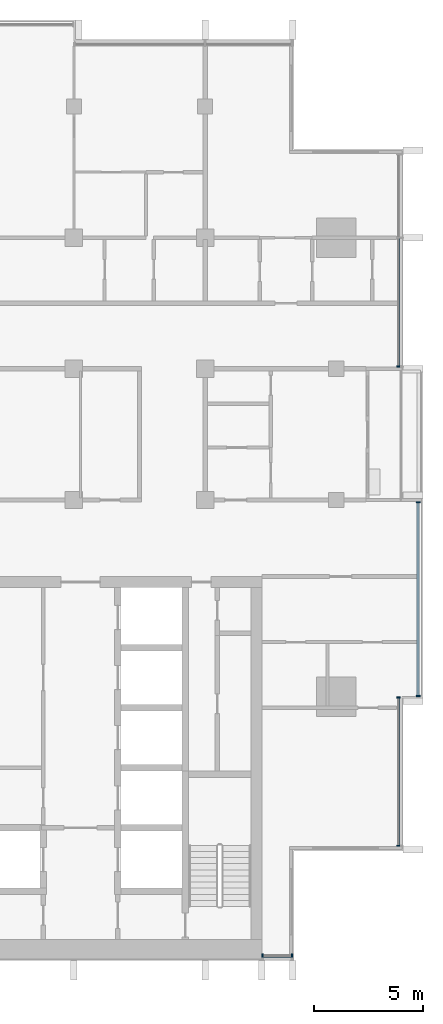
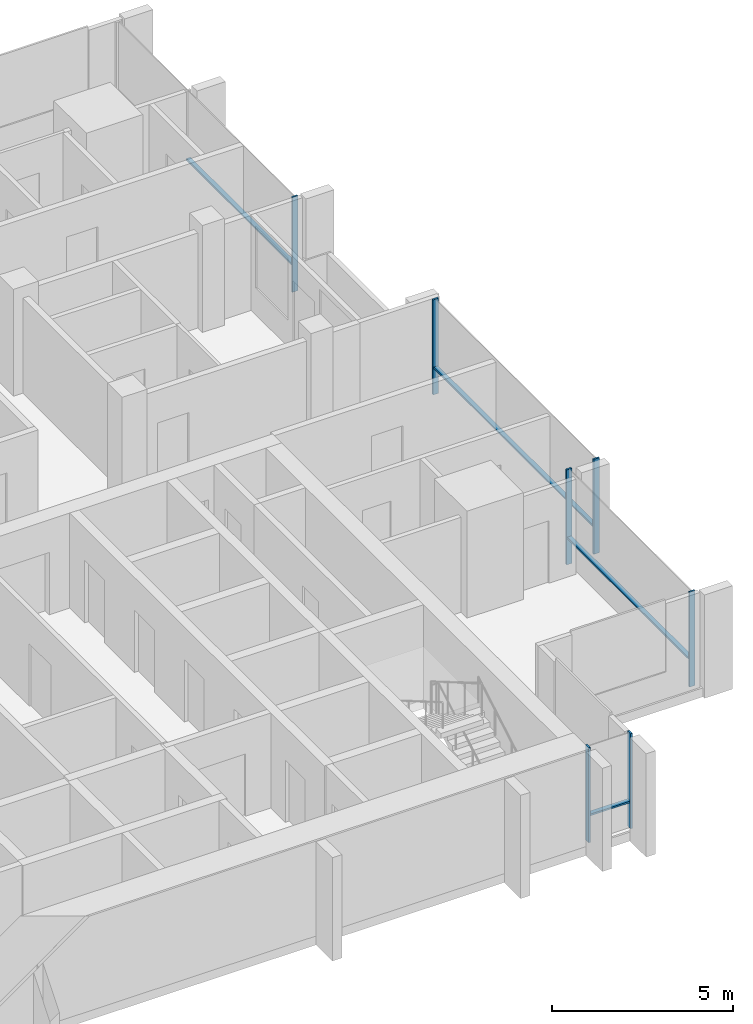
# One storey, part 3 of 16: 11 members, 4 elements without a shape of their own.
"""IFC4 building model written with IfcOpenShell, lengths in metres."""

from ifc_helpers import new_model, si_unit, direction, frame, origin, origin_2d, place, context, subcontext, project, spatial, rectangle, extrude, material, material_profile, profile_set, type_object, element, aggregate, save


model = new_model("IFC4")

# Units and contexts
model_context = context("Model", 3, precision=1e-05, world=origin(), true_north=direction((0.0, 1.0)))
body_context = subcontext(model_context, "Body", "Model", "MODEL_VIEW")
ifc_project = project(units=[si_unit("LENGTHUNIT", "METRE"), si_unit("AREAUNIT", "SQUARE_METRE"), si_unit("VOLUMEUNIT", "CUBIC_METRE"), si_unit("PLANEANGLEUNIT", "RADIAN"), si_unit("MASSUNIT", "GRAM", prefix="KILO")], contexts=[model_context])

# Site, building, storey
site_placement = place(None, origin())
site = spatial("IfcSite", under=ifc_project, at=site_placement, CompositionType="ELEMENT")
building_placement = place(site_placement, origin())
building = spatial("IfcBuilding", under=site, at=building_placement, Name="Finial Court Residences", CompositionType="ELEMENT")
storey_placement = place(building_placement, frame((0.0, 0.0, 295.10009765625)))
storey = spatial("IfcBuildingStorey", under=building, at=storey_placement, Name="L75", CompositionType="ELEMENT", Elevation=295.10009765625)

# Curtain wall, members
ifc_material = material(Name="Bronze anodised aluminium", Category="aluminium")
curtain_wall_type = type_object("IfcCurtainWallType", Name="Unitised curtain wall, upper zones", PredefinedType="NOTDEFINED", material=ifc_material)
curtain_wall_1_placement = place(storey_placement, origin())
curtain_wall_1 = element("IfcCurtainWall", 1, at=curtain_wall_1_placement, inside=storey, type_object=curtain_wall_type, Name="E-L75-CW-E4", PredefinedType="NOTDEFINED")
ifc_material_profile_1 = material_profile(ifc_material, rectangle(XDim=0.175048828125, YDim=0.06005859375, at=origin_2d()), Name="CW2 mullion 60 x 175")
ifc_profile_set_1 = profile_set([ifc_material_profile_1], Name="Bronze anodised aluminium")
member_type_1 = type_object("IfcMemberType", Name="CW2 mullion 60 x 175", PredefinedType="MULLION", material=ifc_profile_set_1)
member_1_placement = place(storey_placement, frame((19.35009765625, -20.320068359375, 0.0), z_axis=(0.0, 0.0, 1.0), x_axis=(-1.0, 0.0, 0.0)))
member_1 = element("IfcMember", 2, at=member_1_placement, type_object=member_type_1, Name="CW2 mullion 1", PredefinedType="MULLION", context=body_context, shape_type="SweptSolid", body=[
    extrude(rectangle(XDim=0.175048828125, YDim=0.06005859375, at=origin_2d()), origin(), (0.0, 0.0, 1.0), 3.199951171875),
])
member_2_placement = place(storey_placement, frame((19.35009765625, -13.530029296875, 0.0), z_axis=(0.0, 0.0, 1.0), x_axis=(-1.0, 0.0, 0.0)))
member_2 = element("IfcMember", 3, at=member_2_placement, type_object=member_type_1, Name="CW2 mullion 2", PredefinedType="MULLION", context=body_context, shape_type="SweptSolid", body=[
    extrude(rectangle(XDim=0.175048828125, YDim=0.06005859375, at=origin_2d()), origin(), (0.0, 0.0, 1.0), 3.199951171875),
])

curtain_wall_2_placement = place(storey_placement, origin())
curtain_wall_2 = element("IfcCurtainWall", 4, at=curtain_wall_2_placement, inside=storey, type_object=curtain_wall_type, Name="E-L75-CW-E5", PredefinedType="NOTDEFINED")
member_3_placement = place(storey_placement, frame((20.25, -13.469970703125, 0.0), z_axis=(0.0, 0.0, 1.0), x_axis=(-1.0, 0.0, 0.0)))
member_3 = element("IfcMember", 5, at=member_3_placement, type_object=member_type_1, Name="CW2 mullion 1", PredefinedType="MULLION", context=body_context, shape_type="SweptSolid", body=[
    extrude(rectangle(XDim=0.175048828125, YDim=0.06005859375, at=origin_2d()), origin(), (0.0, 0.0, 1.0), 3.199951171875),
])
member_4_placement = place(storey_placement, frame((20.25, -4.60498046875, 0.0), z_axis=(0.0, 0.0, 1.0), x_axis=(-1.0, 0.0, 0.0)))
member_4 = element("IfcMember", 6, at=member_4_placement, type_object=member_type_1, Name="CW2 mullion 2", PredefinedType="MULLION", context=body_context, shape_type="SweptSolid", body=[
    extrude(rectangle(XDim=0.175048828125, YDim=0.06005859375, at=origin_2d()), origin(), (0.0, 0.0, 1.0), 3.199951171875),
])

# Curtain wall, member
curtain_wall_3_placement = place(storey_placement, origin())
curtain_wall_3 = element("IfcCurtainWall", 7, at=curtain_wall_3_placement, inside=storey, type_object=curtain_wall_type, Name="E-L75-CW-E6", PredefinedType="NOTDEFINED")
member_5_placement = place(storey_placement, frame((19.35009765625, 1.60498046875, 0.0), z_axis=(0.0, 0.0, 1.0), x_axis=(-1.0, 0.0, 0.0)))
member_5 = element("IfcMember", 8, at=member_5_placement, type_object=member_type_1, Name="CW2 mullion 1", PredefinedType="MULLION", context=body_context, shape_type="SweptSolid", body=[
    extrude(rectangle(XDim=0.175048828125, YDim=0.06005859375, at=origin_2d()), origin(), (0.0, 0.0, 1.0), 3.199951171875),
])

# Curtain wall, members
curtain_wall_4_placement = place(storey_placement, origin())
curtain_wall_4 = element("IfcCurtainWall", 9, at=curtain_wall_4_placement, inside=storey, type_object=curtain_wall_type, Name="E-L75-CW-S8", PredefinedType="NOTDEFINED")
member_6_placement = place(storey_placement, frame((13.1298828125, -25.35009765625, 0.0), z_axis=(0.0, 0.0, 1.0), x_axis=(0.0, 1.0, 0.0)))
member_6 = element("IfcMember", 10, at=member_6_placement, type_object=member_type_1, Name="CW2 mullion 1", PredefinedType="MULLION", context=body_context, shape_type="SweptSolid", body=[
    extrude(rectangle(XDim=0.175048828125, YDim=0.06005859375, at=origin_2d()), origin(), (0.0, 0.0, 1.0), 3.199951171875),
])
member_7_placement = place(storey_placement, frame((14.469970703125, -25.35009765625, 0.0), z_axis=(0.0, 0.0, 1.0), x_axis=(0.0, 1.0, 0.0)))
member_7 = element("IfcMember", 11, at=member_7_placement, type_object=member_type_1, Name="CW2 mullion 2", PredefinedType="MULLION", context=body_context, shape_type="SweptSolid", body=[
    extrude(rectangle(XDim=0.175048828125, YDim=0.06005859375, at=origin_2d()), origin(), (0.0, 0.0, 1.0), 3.199951171875),
])

# Member
ifc_material_profile_2 = material_profile(ifc_material, rectangle(XDim=0.139892578125, YDim=0.06005859375, at=origin_2d()), Name="CW2 transom 60 x 140")
ifc_profile_set_2 = profile_set([ifc_material_profile_2], Name="Bronze anodised aluminium")
member_type_2 = type_object("IfcMemberType", Name="CW2 transom 60 x 140", PredefinedType="USERDEFINED", material=ifc_profile_set_2)
member_8_placement = place(storey_placement, frame((19.35009765625, -20.2900390625, 0.89990234375), z_axis=(0.0, 1.0, 0.0), x_axis=(-1.0, 0.0, 0.0)))
member_8 = element("IfcMember", 12, at=member_8_placement, type_object=member_type_2, Name="CW2 transom 1.1", ObjectType="TRANSOM", PredefinedType="USERDEFINED", context=body_context, shape_type="SweptSolid", body=[
    extrude(rectangle(XDim=0.139892578125, YDim=0.06005859375, at=origin_2d()), origin(), (0.0, 0.0, 1.0), 6.72998046875),
])

aggregate(curtain_wall_1, [member_1, member_2, member_8])

member_9_placement = place(storey_placement, frame((20.25, -13.43994140625, 0.89990234375), z_axis=(0.0, 1.0, 0.0), x_axis=(-1.0, 0.0, 0.0)))
member_9 = element("IfcMember", 13, at=member_9_placement, type_object=member_type_2, Name="CW2 transom 1.1", ObjectType="TRANSOM", PredefinedType="USERDEFINED", context=body_context, shape_type="SweptSolid", body=[
    extrude(rectangle(XDim=0.139892578125, YDim=0.06005859375, at=origin_2d()), origin(), (0.0, 0.0, 1.0), 8.804931640625),
])

aggregate(curtain_wall_2, [member_3, member_4, member_9])

member_10_placement = place(storey_placement, frame((19.35009765625, 1.635009765625, 0.89990234375), z_axis=(0.0, 1.0, 0.0), x_axis=(-1.0, 0.0, 0.0)))
member_10 = element("IfcMember", 14, at=member_10_placement, type_object=member_type_2, Name="CW2 transom 1.1", ObjectType="TRANSOM", PredefinedType="USERDEFINED", context=body_context, shape_type="SweptSolid", body=[
    extrude(rectangle(XDim=0.139892578125, YDim=0.06005859375, at=origin_2d()), origin(), (0.0, 0.0, 1.0), 5.8349609375),
])

aggregate(curtain_wall_3, [member_5, member_10])

member_11_placement = place(storey_placement, frame((13.159912109375, -25.35009765625, 0.89990234375), z_axis=(1.0, 0.0, 0.0), x_axis=(0.0, 1.0, 0.0)))
member_11 = element("IfcMember", 15, at=member_11_placement, type_object=member_type_2, Name="CW2 transom 1.1", ObjectType="TRANSOM", PredefinedType="USERDEFINED", context=body_context, shape_type="SweptSolid", body=[
    extrude(rectangle(XDim=0.139892578125, YDim=0.06005859375, at=origin_2d()), origin(), (0.0, 0.0, 1.0), 1.280029296875),
])

aggregate(curtain_wall_4, [member_6, member_7, member_11])

save(model, "model.ifc")
